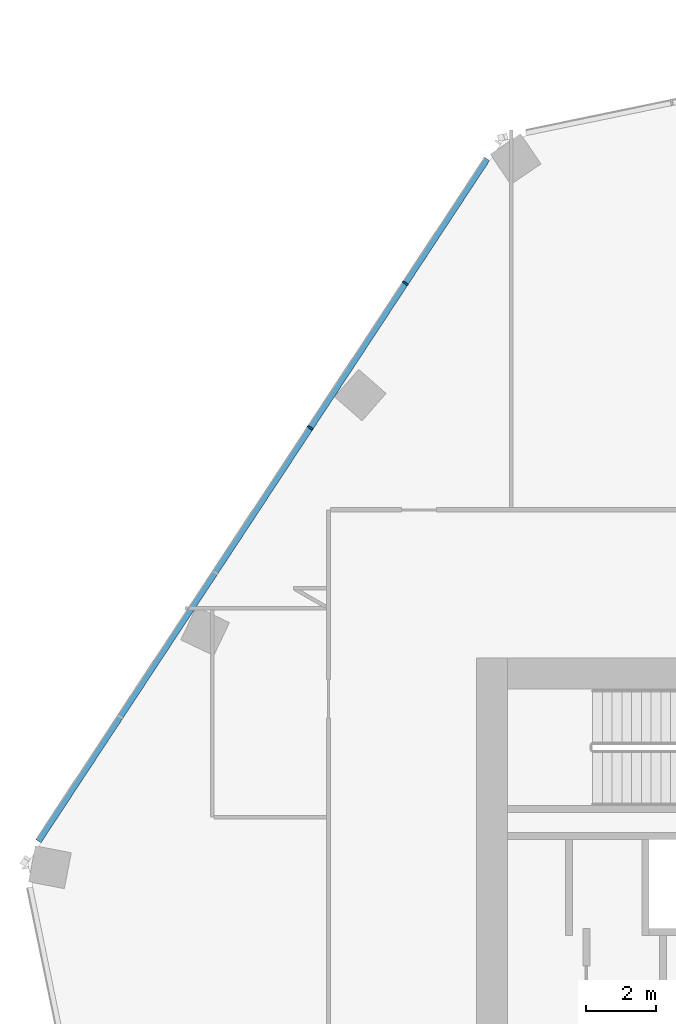
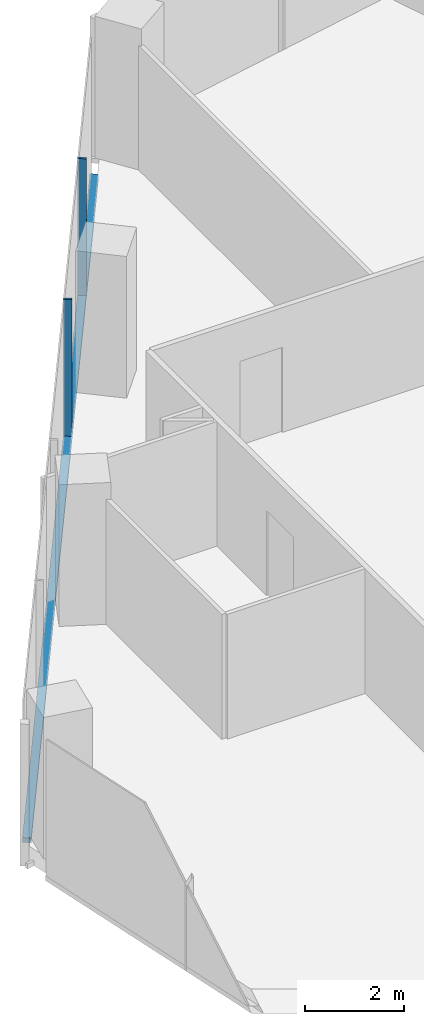
# One storey, part 7 of 24: 3 members, 1 element without a shape of its own.
"""IFC4 building model written with IfcOpenShell, lengths in metres."""

from ifc_helpers import new_model, si_unit, direction, frame, origin, origin_2d, place, context, subcontext, project, spatial, rectangle, extrude, material, material_profile, profile_set, type_object, element, aggregate, save


model = new_model("IFC4")

# Units and contexts
model_context = context("Model", 3, precision=1e-05, world=origin(), true_north=direction((0.0, 1.0)))
body_context = subcontext(model_context, "Body", "Model", "MODEL_VIEW")
ifc_project = project(units=[si_unit("LENGTHUNIT", "METRE"), si_unit("AREAUNIT", "SQUARE_METRE"), si_unit("VOLUMEUNIT", "CUBIC_METRE"), si_unit("PLANEANGLEUNIT", "RADIAN"), si_unit("MASSUNIT", "GRAM", prefix="KILO")], contexts=[model_context])

# Site, building, storey
site_placement = place(None, origin())
site = spatial("IfcSite", under=ifc_project, at=site_placement, CompositionType="ELEMENT")
building_placement = place(site_placement, origin())
building = spatial("IfcBuilding", under=site, at=building_placement, Name="Orlundy Tower", CompositionType="ELEMENT")
storey_placement = place(building_placement, frame((0.0, 0.0, 235.5)))
storey = spatial("IfcBuildingStorey", under=building, at=storey_placement, Name="L62", CompositionType="ELEMENT", Elevation=235.5)

# Curtain wall, members
ifc_material_1 = material(Name="Aluminium bronze anodised", Category="aluminium")
curtain_wall_type = type_object("IfcCurtainWallType", Name="CW1 wall", PredefinedType="NOTDEFINED", material=ifc_material_1)
curtain_wall_placement = place(storey_placement, origin())
curtain_wall = element("IfcCurtainWall", 1, at=curtain_wall_placement, inside=storey, type_object=curtain_wall_type, Name="CW1 run 015", PredefinedType="NOTDEFINED")
ifc_material_2 = material(Name="Aluminium bronze anodised", Category="aluminium")
ifc_material_profile_1 = material_profile(ifc_material_2, rectangle(XDim=0.179931640625, YDim=0.050048828125, at=origin_2d()), Name="CW1 mullion 50x180")
ifc_profile_set_1 = profile_set([ifc_material_profile_1], Name="Aluminium bronze anodised")
member_type_1 = type_object("IfcMemberType", Name="CW1 mullion 50x180", PredefinedType="MULLION", material=ifc_profile_set_1)
member_1_placement = place(storey_placement, frame((-23.77392578125, 18.61083984375, -0.39990234375), z_axis=(0.0, 0.0, 1.0), x_axis=(-0.835482225793, 0.5495174705, 0.0)))
member_1 = element("IfcMember", 2, at=member_1_placement, type_object=member_type_1, Name="CW1 mullion 30", PredefinedType="MULLION", context=body_context, shape_type="SweptSolid", body=[
    extrude(rectangle(XDim=0.179931640625, YDim=0.050048828125, at=origin_2d()), origin(), (0.0, 0.0, 1.0), 3.5),
])
member_2_placement = place(storey_placement, frame((-21.04248046875, 22.763671875, -0.39990234375), z_axis=(0.0, 0.0, 1.0), x_axis=(-0.835482225793, 0.5495174705, 0.0)))
member_2 = element("IfcMember", 3, at=member_2_placement, type_object=member_type_1, Name="CW1 mullion 31", PredefinedType="MULLION", context=body_context, shape_type="SweptSolid", body=[
    extrude(rectangle(XDim=0.179931640625, YDim=0.050048828125, at=origin_2d()), origin(), (0.0, 0.0, 1.0), 3.5),
])
ifc_material_3 = material(Name="Aluminium bronze anodised", Category="aluminium")
ifc_material_profile_2 = material_profile(ifc_material_3, rectangle(XDim=0.179931640625, YDim=0.1201171875, at=origin_2d()), Name="CW1 transom 180x120")
ifc_profile_set_2 = profile_set([ifc_material_profile_2], Name="Aluminium bronze anodised")
member_type_2 = type_object("IfcMemberType", Name="CW1 transom 180x120", PredefinedType="USERDEFINED", material=ifc_profile_set_2)
member_3_placement = place(storey_placement, frame((-31.587158203125, 6.731689453125, -0.340087890625), z_axis=(0.549515607756, 0.835483450963, 0.0), x_axis=(-0.835483450963, 0.549515607756, 0.0)))
member_3 = element("IfcMember", 4, at=member_3_placement, type_object=member_type_2, Name="CW1 transom", ObjectType="TRANSOM", PredefinedType="USERDEFINED", context=body_context, shape_type="SweptSolid", body=[
    extrude(rectangle(XDim=0.179931640625, YDim=0.1201171875, at=origin_2d()), origin(), (0.0, 0.0, 1.0), 23.466552734375),
])
aggregate(curtain_wall, [member_1, member_2, member_3])

save(model, "model.ifc")
